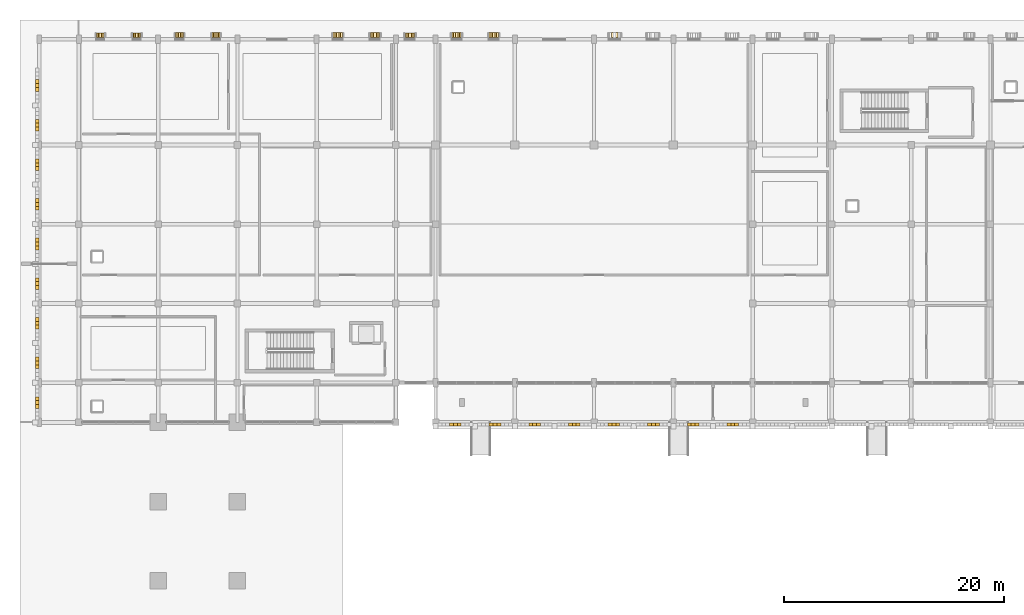
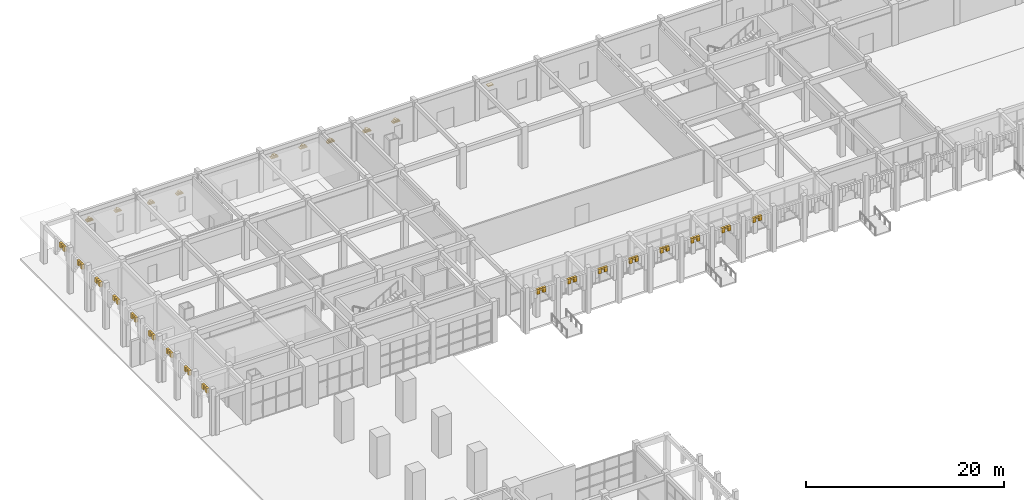
# One storey, part 67 of 72: 79 coverings.
"""IFC4 building model written with IfcOpenShell, lengths in metres."""

from ifc_helpers import new_model, si_unit, direction, frame, origin, origin_2d, place, context, subcontext, project, spatial, rectangle, extrude, material, layer, layer_set, type_object, element, save


model = new_model("IFC4")

# Units and contexts
model_context = context("Model", 3, precision=1e-05, world=origin(), true_north=direction((0.0, 1.0)))
body_context = subcontext(model_context, "Body", "Model", "MODEL_VIEW")
ifc_project = project(units=[si_unit("LENGTHUNIT", "METRE"), si_unit("AREAUNIT", "SQUARE_METRE"), si_unit("VOLUMEUNIT", "CUBIC_METRE"), si_unit("PLANEANGLEUNIT", "RADIAN"), si_unit("MASSUNIT", "GRAM", prefix="KILO")], contexts=[model_context])

# Site, building, storey
site_placement = place(None, origin())
site = spatial("IfcSite", under=ifc_project, at=site_placement, CompositionType="ELEMENT")
building_placement = place(site_placement, origin())
building = spatial("IfcBuilding", under=site, at=building_placement, Name="Nzembalo Square Collegiate School", CompositionType="ELEMENT")
storey_placement = place(building_placement, origin())
storey = spatial("IfcBuildingStorey", under=building, at=storey_placement, Name="L00", CompositionType="ELEMENT", Elevation=0.0)

# Coverings
ifc_material_1 = material(Name="Precast concrete C40/50 arch voussoir", Category="concrete")
ifc_layer_1 = layer(ifc_material_1, 0.1201171875, Name="Precast concrete C40/50 arch voussoir")
ifc_layer_set_1 = layer_set([ifc_layer_1], Name="Precast concrete C40/50 arch voussoir")
covering_type_1 = type_object("IfcCoveringType", Name="AR01", PredefinedType="CLADDING", material=ifc_layer_set_1)
covering_1_placement = place(storey_placement, frame((4.6201171875, 80.648681640625, 4.2109375), z_axis=(0.0, 0.0, 1.0), x_axis=(1.0, 0.0, 0.0)))
element("IfcCovering", 1, at=covering_1_placement, inside=storey, type_object=covering_type_1, Name="Gothic pointed arch voussoir AR01-013-3", PredefinedType="CLADDING", context=body_context, shape_type="SweptSolid", body=[
    extrude(rectangle(XDim=0.280029296875, YDim=0.35107421875, at=origin_2d()), origin(), (0.0, 0.0, 1.0), 0.589111328125),
])
covering_2_placement = place(storey_placement, frame((4.6201171875, 81.0, 4.579833984375), z_axis=(0.0, 0.0, 1.0), x_axis=(1.0, 0.0, 0.0)))
element("IfcCovering", 2, at=covering_2_placement, inside=storey, type_object=covering_type_1, Name="Gothic pointed arch voussoir AR01-013-4", PredefinedType="CLADDING", context=body_context, shape_type="SweptSolid", body=[
    extrude(rectangle(XDim=0.280029296875, YDim=0.35107421875, at=origin_2d()), origin(), (0.0, 0.0, 1.0), 0.22021484375),
])
for number, where, z_axis, x_axis, name in (
    (3, (4.6201171875, 81.35107421875, 4.2109375), (0.0, 0.0, 1.0), (1.0, 0.0, 0.0), "Gothic pointed arch voussoir AR01-013-5"),
    (4, (4.6201171875, 84.248779296875, 4.2109375), (0.0, 0.0, 1.0), (1.0, 0.0, 0.0), "Gothic pointed arch voussoir AR01-014-3"),
):
    element("IfcCovering", number, at=place(storey_placement, frame(where, z_axis=z_axis, x_axis=x_axis)), inside=storey, type_object=covering_type_1, Name=name, PredefinedType="CLADDING", context=body_context, shape_type="SweptSolid", body=[
        extrude(rectangle(XDim=0.280029296875, YDim=0.35107421875, at=origin_2d()), origin(), (0.0, 0.0, 1.0), 0.589111328125),
    ])
covering_3_placement = place(storey_placement, frame((4.6201171875, 84.599853515625, 4.579833984375), z_axis=(0.0, 0.0, 1.0), x_axis=(1.0, 0.0, 0.0)))
element("IfcCovering", 5, at=covering_3_placement, inside=storey, type_object=covering_type_1, Name="Gothic pointed arch voussoir AR01-014-4", PredefinedType="CLADDING", context=body_context, shape_type="SweptSolid", body=[
    extrude(rectangle(XDim=0.280029296875, YDim=0.35107421875, at=origin_2d()), origin(), (0.0, 0.0, 1.0), 0.22021484375),
])
for number, where, z_axis, x_axis, name in (
    (6, (4.6201171875, 84.950927734375, 4.2109375), (0.0, 0.0, 1.0), (1.0, 0.0, 0.0), "Gothic pointed arch voussoir AR01-014-5"),
    (7, (4.6201171875, 87.848876953125, 4.2109375), (0.0, 0.0, 1.0), (1.0, 0.0, 0.0), "Gothic pointed arch voussoir AR01-015-3"),
):
    element("IfcCovering", number, at=place(storey_placement, frame(where, z_axis=z_axis, x_axis=x_axis)), inside=storey, type_object=covering_type_1, Name=name, PredefinedType="CLADDING", context=body_context, shape_type="SweptSolid", body=[
        extrude(rectangle(XDim=0.280029296875, YDim=0.35107421875, at=origin_2d()), origin(), (0.0, 0.0, 1.0), 0.589111328125),
    ])
covering_4_placement = place(storey_placement, frame((4.6201171875, 88.199951171875, 4.579833984375), z_axis=(0.0, 0.0, 1.0), x_axis=(1.0, 0.0, 0.0)))
element("IfcCovering", 8, at=covering_4_placement, inside=storey, type_object=covering_type_1, Name="Gothic pointed arch voussoir AR01-015-4", PredefinedType="CLADDING", context=body_context, shape_type="SweptSolid", body=[
    extrude(rectangle(XDim=0.280029296875, YDim=0.35107421875, at=origin_2d()), origin(), (0.0, 0.0, 1.0), 0.22021484375),
])
for number, where, z_axis, x_axis, name in (
    (9, (4.6201171875, 88.551025390625, 4.2109375), (0.0, 0.0, 1.0), (1.0, 0.0, 0.0), "Gothic pointed arch voussoir AR01-015-5"),
    (10, (4.6201171875, 91.44873046875, 4.2109375), (0.0, 0.0, 1.0), (1.0, 0.0, 0.0), "Gothic pointed arch voussoir AR01-016-3"),
):
    element("IfcCovering", number, at=place(storey_placement, frame(where, z_axis=z_axis, x_axis=x_axis)), inside=storey, type_object=covering_type_1, Name=name, PredefinedType="CLADDING", context=body_context, shape_type="SweptSolid", body=[
        extrude(rectangle(XDim=0.280029296875, YDim=0.35107421875, at=origin_2d()), origin(), (0.0, 0.0, 1.0), 0.589111328125),
    ])
covering_5_placement = place(storey_placement, frame((4.6201171875, 91.7998046875, 4.579833984375), z_axis=(0.0, 0.0, 1.0), x_axis=(1.0, 0.0, 0.0)))
element("IfcCovering", 11, at=covering_5_placement, inside=storey, type_object=covering_type_1, Name="Gothic pointed arch voussoir AR01-016-4", PredefinedType="CLADDING", context=body_context, shape_type="SweptSolid", body=[
    extrude(rectangle(XDim=0.280029296875, YDim=0.35107421875, at=origin_2d()), origin(), (0.0, 0.0, 1.0), 0.22021484375),
])
for number, where, z_axis, x_axis, name in (
    (12, (4.6201171875, 92.15087890625, 4.2109375), (0.0, 0.0, 1.0), (1.0, 0.0, 0.0), "Gothic pointed arch voussoir AR01-016-5"),
    (13, (4.6201171875, 95.048828125, 4.2109375), (0.0, 0.0, 1.0), (1.0, 0.0, 0.0), "Gothic pointed arch voussoir AR01-017-3"),
):
    element("IfcCovering", number, at=place(storey_placement, frame(where, z_axis=z_axis, x_axis=x_axis)), inside=storey, type_object=covering_type_1, Name=name, PredefinedType="CLADDING", context=body_context, shape_type="SweptSolid", body=[
        extrude(rectangle(XDim=0.280029296875, YDim=0.35107421875, at=origin_2d()), origin(), (0.0, 0.0, 1.0), 0.589111328125),
    ])
covering_6_placement = place(storey_placement, frame((4.6201171875, 95.39990234375, 4.579833984375), z_axis=(0.0, 0.0, 1.0), x_axis=(1.0, 0.0, 0.0)))
element("IfcCovering", 14, at=covering_6_placement, inside=storey, type_object=covering_type_1, Name="Gothic pointed arch voussoir AR01-017-4", PredefinedType="CLADDING", context=body_context, shape_type="SweptSolid", body=[
    extrude(rectangle(XDim=0.280029296875, YDim=0.35107421875, at=origin_2d()), origin(), (0.0, 0.0, 1.0), 0.22021484375),
])
for number, where, z_axis, x_axis, name in (
    (15, (4.6201171875, 95.7509765625, 4.2109375), (0.0, 0.0, 1.0), (1.0, 0.0, 0.0), "Gothic pointed arch voussoir AR01-017-5"),
    (16, (4.6201171875, 98.648681640625, 4.2109375), (0.0, 0.0, 1.0), (1.0, 0.0, 0.0), "Gothic pointed arch voussoir AR01-018-3"),
):
    element("IfcCovering", number, at=place(storey_placement, frame(where, z_axis=z_axis, x_axis=x_axis)), inside=storey, type_object=covering_type_1, Name=name, PredefinedType="CLADDING", context=body_context, shape_type="SweptSolid", body=[
        extrude(rectangle(XDim=0.280029296875, YDim=0.35107421875, at=origin_2d()), origin(), (0.0, 0.0, 1.0), 0.589111328125),
    ])
covering_7_placement = place(storey_placement, frame((4.6201171875, 99.0, 4.579833984375), z_axis=(0.0, 0.0, 1.0), x_axis=(1.0, 0.0, 0.0)))
element("IfcCovering", 17, at=covering_7_placement, inside=storey, type_object=covering_type_1, Name="Gothic pointed arch voussoir AR01-018-4", PredefinedType="CLADDING", context=body_context, shape_type="SweptSolid", body=[
    extrude(rectangle(XDim=0.280029296875, YDim=0.35107421875, at=origin_2d()), origin(), (0.0, 0.0, 1.0), 0.22021484375),
])
for number, where, z_axis, x_axis, name in (
    (18, (4.6201171875, 99.35107421875, 4.2109375), (0.0, 0.0, 1.0), (1.0, 0.0, 0.0), "Gothic pointed arch voussoir AR01-018-5"),
    (19, (4.6201171875, 102.248779296875, 4.2109375), (0.0, 0.0, 1.0), (1.0, 0.0, 0.0), "Gothic pointed arch voussoir AR01-019-3"),
):
    element("IfcCovering", number, at=place(storey_placement, frame(where, z_axis=z_axis, x_axis=x_axis)), inside=storey, type_object=covering_type_1, Name=name, PredefinedType="CLADDING", context=body_context, shape_type="SweptSolid", body=[
        extrude(rectangle(XDim=0.280029296875, YDim=0.35107421875, at=origin_2d()), origin(), (0.0, 0.0, 1.0), 0.589111328125),
    ])
covering_8_placement = place(storey_placement, frame((4.6201171875, 102.599853515625, 4.579833984375), z_axis=(0.0, 0.0, 1.0), x_axis=(1.0, 0.0, 0.0)))
element("IfcCovering", 20, at=covering_8_placement, inside=storey, type_object=covering_type_1, Name="Gothic pointed arch voussoir AR01-019-4", PredefinedType="CLADDING", context=body_context, shape_type="SweptSolid", body=[
    extrude(rectangle(XDim=0.280029296875, YDim=0.35107421875, at=origin_2d()), origin(), (0.0, 0.0, 1.0), 0.22021484375),
])
for number, where, z_axis, x_axis, name in (
    (21, (4.6201171875, 102.950927734375, 4.2109375), (0.0, 0.0, 1.0), (1.0, 0.0, 0.0), "Gothic pointed arch voussoir AR01-019-5"),
    (22, (4.6201171875, 105.848876953125, 4.2109375), (0.0, 0.0, 1.0), (1.0, 0.0, 0.0), "Gothic pointed arch voussoir AR01-020-3"),
):
    element("IfcCovering", number, at=place(storey_placement, frame(where, z_axis=z_axis, x_axis=x_axis)), inside=storey, type_object=covering_type_1, Name=name, PredefinedType="CLADDING", context=body_context, shape_type="SweptSolid", body=[
        extrude(rectangle(XDim=0.280029296875, YDim=0.35107421875, at=origin_2d()), origin(), (0.0, 0.0, 1.0), 0.589111328125),
    ])
covering_9_placement = place(storey_placement, frame((4.6201171875, 106.199951171875, 4.579833984375), z_axis=(0.0, 0.0, 1.0), x_axis=(1.0, 0.0, 0.0)))
element("IfcCovering", 23, at=covering_9_placement, inside=storey, type_object=covering_type_1, Name="Gothic pointed arch voussoir AR01-020-4", PredefinedType="CLADDING", context=body_context, shape_type="SweptSolid", body=[
    extrude(rectangle(XDim=0.280029296875, YDim=0.35107421875, at=origin_2d()), origin(), (0.0, 0.0, 1.0), 0.22021484375),
])
for number, where, z_axis, x_axis, name in (
    (24, (4.6201171875, 106.551025390625, 4.2109375), (0.0, 0.0, 1.0), (1.0, 0.0, 0.0), "Gothic pointed arch voussoir AR01-020-5"),
    (25, (4.6201171875, 109.44873046875, 4.2109375), (0.0, 0.0, 1.0), (1.0, 0.0, 0.0), "Gothic pointed arch voussoir AR01-021-3"),
):
    element("IfcCovering", number, at=place(storey_placement, frame(where, z_axis=z_axis, x_axis=x_axis)), inside=storey, type_object=covering_type_1, Name=name, PredefinedType="CLADDING", context=body_context, shape_type="SweptSolid", body=[
        extrude(rectangle(XDim=0.280029296875, YDim=0.35107421875, at=origin_2d()), origin(), (0.0, 0.0, 1.0), 0.589111328125),
    ])
covering_10_placement = place(storey_placement, frame((4.6201171875, 109.7998046875, 4.579833984375), z_axis=(0.0, 0.0, 1.0), x_axis=(1.0, 0.0, 0.0)))
element("IfcCovering", 26, at=covering_10_placement, inside=storey, type_object=covering_type_1, Name="Gothic pointed arch voussoir AR01-021-4", PredefinedType="CLADDING", context=body_context, shape_type="SweptSolid", body=[
    extrude(rectangle(XDim=0.280029296875, YDim=0.35107421875, at=origin_2d()), origin(), (0.0, 0.0, 1.0), 0.22021484375),
])
covering_11_placement = place(storey_placement, frame((4.6201171875, 110.15087890625, 4.2109375), z_axis=(0.0, 0.0, 1.0), x_axis=(1.0, 0.0, 0.0)))
element("IfcCovering", 27, at=covering_11_placement, inside=storey, type_object=covering_type_1, Name="Gothic pointed arch voussoir AR01-021-5", PredefinedType="CLADDING", context=body_context, shape_type="SweptSolid", body=[
    extrude(rectangle(XDim=0.280029296875, YDim=0.35107421875, at=origin_2d()), origin(), (0.0, 0.0, 1.0), 0.589111328125),
])
covering_12_placement = place(storey_placement, frame((42.248779296875, 79.02001953125, 4.2109375), z_axis=(0.0, 0.0, 1.0), x_axis=(1.0, 0.0, 0.0)))
element("IfcCovering", 28, at=covering_12_placement, inside=storey, type_object=covering_type_1, Name="Gothic pointed arch voussoir AR01-042-3", PredefinedType="CLADDING", context=body_context, shape_type="SweptSolid", body=[
    extrude(rectangle(XDim=0.35107421875, YDim=0.280029296875, at=origin_2d()), origin(), (0.0, 0.0, 1.0), 0.589111328125),
])
covering_13_placement = place(storey_placement, frame((42.599853515625, 79.02001953125, 4.579833984375), z_axis=(0.0, 0.0, 1.0), x_axis=(1.0, 0.0, 0.0)))
element("IfcCovering", 29, at=covering_13_placement, inside=storey, type_object=covering_type_1, Name="Gothic pointed arch voussoir AR01-042-4", PredefinedType="CLADDING", context=body_context, shape_type="SweptSolid", body=[
    extrude(rectangle(XDim=0.35107421875, YDim=0.280029296875, at=origin_2d()), origin(), (0.0, 0.0, 1.0), 0.22021484375),
])
for number, where, z_axis, x_axis, name in (
    (30, (42.950927734375, 79.02001953125, 4.2109375), (0.0, 0.0, 1.0), (1.0, 0.0, 0.0), "Gothic pointed arch voussoir AR01-042-5"),
    (31, (45.848876953125, 79.02001953125, 4.2109375), (0.0, 0.0, 1.0), (1.0, 0.0, 0.0), "Gothic pointed arch voussoir AR01-043-3"),
):
    element("IfcCovering", number, at=place(storey_placement, frame(where, z_axis=z_axis, x_axis=x_axis)), inside=storey, type_object=covering_type_1, Name=name, PredefinedType="CLADDING", context=body_context, shape_type="SweptSolid", body=[
        extrude(rectangle(XDim=0.35107421875, YDim=0.280029296875, at=origin_2d()), origin(), (0.0, 0.0, 1.0), 0.589111328125),
    ])
covering_14_placement = place(storey_placement, frame((46.199951171875, 79.02001953125, 4.579833984375), z_axis=(0.0, 0.0, 1.0), x_axis=(1.0, 0.0, 0.0)))
element("IfcCovering", 32, at=covering_14_placement, inside=storey, type_object=covering_type_1, Name="Gothic pointed arch voussoir AR01-043-4", PredefinedType="CLADDING", context=body_context, shape_type="SweptSolid", body=[
    extrude(rectangle(XDim=0.35107421875, YDim=0.280029296875, at=origin_2d()), origin(), (0.0, 0.0, 1.0), 0.22021484375),
])
for number, where, z_axis, x_axis, name in (
    (33, (46.551025390625, 79.02001953125, 4.2109375), (0.0, 0.0, 1.0), (1.0, 0.0, 0.0), "Gothic pointed arch voussoir AR01-043-5"),
    (34, (49.448974609375, 79.02001953125, 4.2109375), (0.0, 0.0, 1.0), (1.0, 0.0, 0.0), "Gothic pointed arch voussoir AR01-044-3"),
):
    element("IfcCovering", number, at=place(storey_placement, frame(where, z_axis=z_axis, x_axis=x_axis)), inside=storey, type_object=covering_type_1, Name=name, PredefinedType="CLADDING", context=body_context, shape_type="SweptSolid", body=[
        extrude(rectangle(XDim=0.35107421875, YDim=0.280029296875, at=origin_2d()), origin(), (0.0, 0.0, 1.0), 0.589111328125),
    ])
covering_15_placement = place(storey_placement, frame((49.7998046875, 79.02001953125, 4.579833984375), z_axis=(0.0, 0.0, 1.0), x_axis=(1.0, 0.0, 0.0)))
element("IfcCovering", 35, at=covering_15_placement, inside=storey, type_object=covering_type_1, Name="Gothic pointed arch voussoir AR01-044-4", PredefinedType="CLADDING", context=body_context, shape_type="SweptSolid", body=[
    extrude(rectangle(XDim=0.35107421875, YDim=0.280029296875, at=origin_2d()), origin(), (0.0, 0.0, 1.0), 0.22021484375),
])
for number, where, z_axis, x_axis, name in (
    (36, (50.15087890625, 79.02001953125, 4.2109375), (0.0, 0.0, 1.0), (1.0, 0.0, 0.0), "Gothic pointed arch voussoir AR01-044-5"),
    (37, (53.048828125, 79.02001953125, 4.2109375), (0.0, 0.0, 1.0), (1.0, 0.0, 0.0), "Gothic pointed arch voussoir AR01-045-3"),
):
    element("IfcCovering", number, at=place(storey_placement, frame(where, z_axis=z_axis, x_axis=x_axis)), inside=storey, type_object=covering_type_1, Name=name, PredefinedType="CLADDING", context=body_context, shape_type="SweptSolid", body=[
        extrude(rectangle(XDim=0.35107421875, YDim=0.280029296875, at=origin_2d()), origin(), (0.0, 0.0, 1.0), 0.589111328125),
    ])
covering_16_placement = place(storey_placement, frame((53.39990234375, 79.02001953125, 4.579833984375), z_axis=(0.0, 0.0, 1.0), x_axis=(1.0, 0.0, 0.0)))
element("IfcCovering", 38, at=covering_16_placement, inside=storey, type_object=covering_type_1, Name="Gothic pointed arch voussoir AR01-045-4", PredefinedType="CLADDING", context=body_context, shape_type="SweptSolid", body=[
    extrude(rectangle(XDim=0.35107421875, YDim=0.280029296875, at=origin_2d()), origin(), (0.0, 0.0, 1.0), 0.22021484375),
])
for number, where, z_axis, x_axis, name in (
    (39, (53.7509765625, 79.02001953125, 4.2109375), (0.0, 0.0, 1.0), (1.0, 0.0, 0.0), "Gothic pointed arch voussoir AR01-045-5"),
    (40, (56.64892578125, 79.02001953125, 4.2109375), (0.0, 0.0, 1.0), (1.0, 0.0, 0.0), "Gothic pointed arch voussoir AR01-046-3"),
):
    element("IfcCovering", number, at=place(storey_placement, frame(where, z_axis=z_axis, x_axis=x_axis)), inside=storey, type_object=covering_type_1, Name=name, PredefinedType="CLADDING", context=body_context, shape_type="SweptSolid", body=[
        extrude(rectangle(XDim=0.35107421875, YDim=0.280029296875, at=origin_2d()), origin(), (0.0, 0.0, 1.0), 0.589111328125),
    ])
covering_17_placement = place(storey_placement, frame((57.0, 79.02001953125, 4.579833984375), z_axis=(0.0, 0.0, 1.0), x_axis=(1.0, 0.0, 0.0)))
element("IfcCovering", 41, at=covering_17_placement, inside=storey, type_object=covering_type_1, Name="Gothic pointed arch voussoir AR01-046-4", PredefinedType="CLADDING", context=body_context, shape_type="SweptSolid", body=[
    extrude(rectangle(XDim=0.35107421875, YDim=0.280029296875, at=origin_2d()), origin(), (0.0, 0.0, 1.0), 0.22021484375),
])
for number, where, z_axis, x_axis, name in (
    (42, (57.35107421875, 79.02001953125, 4.2109375), (0.0, 0.0, 1.0), (1.0, 0.0, 0.0), "Gothic pointed arch voussoir AR01-046-5"),
    (43, (60.248779296875, 79.02001953125, 4.2109375), (0.0, 0.0, 1.0), (1.0, 0.0, 0.0), "Gothic pointed arch voussoir AR01-047-3"),
):
    element("IfcCovering", number, at=place(storey_placement, frame(where, z_axis=z_axis, x_axis=x_axis)), inside=storey, type_object=covering_type_1, Name=name, PredefinedType="CLADDING", context=body_context, shape_type="SweptSolid", body=[
        extrude(rectangle(XDim=0.35107421875, YDim=0.280029296875, at=origin_2d()), origin(), (0.0, 0.0, 1.0), 0.589111328125),
    ])
covering_18_placement = place(storey_placement, frame((60.599853515625, 79.02001953125, 4.579833984375), z_axis=(0.0, 0.0, 1.0), x_axis=(1.0, 0.0, 0.0)))
element("IfcCovering", 44, at=covering_18_placement, inside=storey, type_object=covering_type_1, Name="Gothic pointed arch voussoir AR01-047-4", PredefinedType="CLADDING", context=body_context, shape_type="SweptSolid", body=[
    extrude(rectangle(XDim=0.35107421875, YDim=0.280029296875, at=origin_2d()), origin(), (0.0, 0.0, 1.0), 0.22021484375),
])
for number, where, z_axis, x_axis, name in (
    (45, (60.951171875, 79.02001953125, 4.2109375), (0.0, 0.0, 1.0), (1.0, 0.0, 0.0), "Gothic pointed arch voussoir AR01-047-5"),
    (46, (63.848876953125, 79.02001953125, 4.2109375), (0.0, 0.0, 1.0), (1.0, 0.0, 0.0), "Gothic pointed arch voussoir AR01-048-3"),
):
    element("IfcCovering", number, at=place(storey_placement, frame(where, z_axis=z_axis, x_axis=x_axis)), inside=storey, type_object=covering_type_1, Name=name, PredefinedType="CLADDING", context=body_context, shape_type="SweptSolid", body=[
        extrude(rectangle(XDim=0.35107421875, YDim=0.280029296875, at=origin_2d()), origin(), (0.0, 0.0, 1.0), 0.589111328125),
    ])
covering_19_placement = place(storey_placement, frame((64.199951171875, 79.02001953125, 4.579833984375), z_axis=(0.0, 0.0, 1.0), x_axis=(1.0, 0.0, 0.0)))
element("IfcCovering", 47, at=covering_19_placement, inside=storey, type_object=covering_type_1, Name="Gothic pointed arch voussoir AR01-048-4", PredefinedType="CLADDING", context=body_context, shape_type="SweptSolid", body=[
    extrude(rectangle(XDim=0.35107421875, YDim=0.280029296875, at=origin_2d()), origin(), (0.0, 0.0, 1.0), 0.22021484375),
])
for number, where, z_axis, x_axis, name in (
    (48, (64.551025390625, 79.02001953125, 4.2109375), (0.0, 0.0, 1.0), (1.0, 0.0, 0.0), "Gothic pointed arch voussoir AR01-048-5"),
    (49, (67.44873046875, 79.02001953125, 4.2109375), (0.0, 0.0, 1.0), (1.0, 0.0, 0.0), "Gothic pointed arch voussoir AR01-049-3"),
):
    element("IfcCovering", number, at=place(storey_placement, frame(where, z_axis=z_axis, x_axis=x_axis)), inside=storey, type_object=covering_type_1, Name=name, PredefinedType="CLADDING", context=body_context, shape_type="SweptSolid", body=[
        extrude(rectangle(XDim=0.35107421875, YDim=0.280029296875, at=origin_2d()), origin(), (0.0, 0.0, 1.0), 0.589111328125),
    ])
covering_20_placement = place(storey_placement, frame((67.7998046875, 79.02001953125, 4.579833984375), z_axis=(0.0, 0.0, 1.0), x_axis=(1.0, 0.0, 0.0)))
element("IfcCovering", 50, at=covering_20_placement, inside=storey, type_object=covering_type_1, Name="Gothic pointed arch voussoir AR01-049-4", PredefinedType="CLADDING", context=body_context, shape_type="SweptSolid", body=[
    extrude(rectangle(XDim=0.35107421875, YDim=0.280029296875, at=origin_2d()), origin(), (0.0, 0.0, 1.0), 0.22021484375),
])
covering_21_placement = place(storey_placement, frame((68.15087890625, 79.02001953125, 4.2109375), z_axis=(0.0, 0.0, 1.0), x_axis=(1.0, 0.0, 0.0)))
element("IfcCovering", 51, at=covering_21_placement, inside=storey, type_object=covering_type_1, Name="Gothic pointed arch voussoir AR01-049-5", PredefinedType="CLADDING", context=body_context, shape_type="SweptSolid", body=[
    extrude(rectangle(XDim=0.35107421875, YDim=0.280029296875, at=origin_2d()), origin(), (0.0, 0.0, 1.0), 0.589111328125),
])
ifc_material_2 = material(Name="Glazed celadon ceramic window frame")
ifc_layer_2 = layer(ifc_material_2, 0.419921875, Name="Glazed celadon ceramic window frame")
ifc_layer_set_2 = layer_set([ifc_layer_2], Name="Glazed celadon ceramic window frame")
covering_type_2 = type_object("IfcCoveringType", Name="WF01", PredefinedType="CLADDING", material=ifc_layer_set_2)
covering_22_placement = place(storey_placement, frame((10.345947265625, 114.375, 2.9599609375), z_axis=(0.0, 0.0, 1.0), x_axis=(1.0, 0.0, 0.0)))
element("IfcCovering", 52, at=covering_22_placement, inside=storey, type_object=covering_type_2, Name="Pointed lancet gable WF01-0075-1", PredefinedType="CLADDING", context=body_context, shape_type="SweptSolid", body=[
    extrude(rectangle(XDim=0.721923828125, YDim=0.419921875, at=origin_2d()), origin(), (0.0, 0.0, 1.0), 0.1201171875),
])
covering_23_placement = place(storey_placement, frame((10.345947265625, 114.375, 3.079833984375), z_axis=(0.0, 0.0, 1.0), x_axis=(1.0, 0.0, 0.0)))
element("IfcCovering", 53, at=covering_23_placement, inside=storey, type_object=covering_type_2, Name="Pointed lancet gable WF01-0075-2", PredefinedType="CLADDING", context=body_context, shape_type="SweptSolid", body=[
    extrude(rectangle(XDim=0.4560546875, YDim=0.419921875, at=origin_2d()), origin(), (0.0, 0.0, 1.0), 0.1201171875),
])
covering_24_placement = place(storey_placement, frame((10.345947265625, 114.375, 3.199951171875), z_axis=(0.0, 0.0, 1.0), x_axis=(1.0, 0.0, 0.0)))
element("IfcCovering", 54, at=covering_24_placement, inside=storey, type_object=covering_type_2, Name="Pointed lancet gable WF01-0075-3", PredefinedType="CLADDING", context=body_context, shape_type="SweptSolid", body=[
    extrude(rectangle(XDim=0.208984375, YDim=0.419921875, at=origin_2d()), origin(), (0.0, 0.0, 1.0), 0.1201171875),
])
covering_25_placement = place(storey_placement, frame((13.654052734375, 114.375, 2.9599609375), z_axis=(0.0, 0.0, 1.0), x_axis=(1.0, 0.0, 0.0)))
element("IfcCovering", 55, at=covering_25_placement, inside=storey, type_object=covering_type_2, Name="Pointed lancet gable WF01-0076-1", PredefinedType="CLADDING", context=body_context, shape_type="SweptSolid", body=[
    extrude(rectangle(XDim=0.721923828125, YDim=0.419921875, at=origin_2d()), origin(), (0.0, 0.0, 1.0), 0.1201171875),
])
covering_26_placement = place(storey_placement, frame((13.654052734375, 114.375, 3.079833984375), z_axis=(0.0, 0.0, 1.0), x_axis=(1.0, 0.0, 0.0)))
element("IfcCovering", 56, at=covering_26_placement, inside=storey, type_object=covering_type_2, Name="Pointed lancet gable WF01-0076-2", PredefinedType="CLADDING", context=body_context, shape_type="SweptSolid", body=[
    extrude(rectangle(XDim=0.4560546875, YDim=0.419921875, at=origin_2d()), origin(), (0.0, 0.0, 1.0), 0.1201171875),
])
covering_27_placement = place(storey_placement, frame((13.654052734375, 114.375, 3.199951171875), z_axis=(0.0, 0.0, 1.0), x_axis=(1.0, 0.0, 0.0)))
element("IfcCovering", 57, at=covering_27_placement, inside=storey, type_object=covering_type_2, Name="Pointed lancet gable WF01-0076-3", PredefinedType="CLADDING", context=body_context, shape_type="SweptSolid", body=[
    extrude(rectangle(XDim=0.208984375, YDim=0.419921875, at=origin_2d()), origin(), (0.0, 0.0, 1.0), 0.1201171875),
])
covering_28_placement = place(storey_placement, frame((17.5458984375, 114.385009765625, 2.56005859375), z_axis=(0.0, 0.0, 1.0), x_axis=(1.0, 0.0, 0.0)))
element("IfcCovering", 58, at=covering_28_placement, inside=storey, type_object=covering_type_2, Name="Pointed lancet gable WF01-0077-1", PredefinedType="CLADDING", context=body_context, shape_type="SweptSolid", body=[
    extrude(rectangle(XDim=0.721923828125, YDim=0.419921875, at=origin_2d()), origin(), (0.0, 0.0, 1.0), 0.1201171875),
])
covering_29_placement = place(storey_placement, frame((17.5458984375, 114.385009765625, 2.679931640625), z_axis=(0.0, 0.0, 1.0), x_axis=(1.0, 0.0, 0.0)))
element("IfcCovering", 59, at=covering_29_placement, inside=storey, type_object=covering_type_2, Name="Pointed lancet gable WF01-0077-2", PredefinedType="CLADDING", context=body_context, shape_type="SweptSolid", body=[
    extrude(rectangle(XDim=0.4560546875, YDim=0.419921875, at=origin_2d()), origin(), (0.0, 0.0, 1.0), 0.1201171875),
])
covering_30_placement = place(storey_placement, frame((17.5458984375, 114.385009765625, 2.800048828125), z_axis=(0.0, 0.0, 1.0), x_axis=(1.0, 0.0, 0.0)))
element("IfcCovering", 60, at=covering_30_placement, inside=storey, type_object=covering_type_2, Name="Pointed lancet gable WF01-0077-3", PredefinedType="CLADDING", context=body_context, shape_type="SweptSolid", body=[
    extrude(rectangle(XDim=0.208984375, YDim=0.419921875, at=origin_2d()), origin(), (0.0, 0.0, 1.0), 0.1201171875),
])
covering_31_placement = place(storey_placement, frame((20.85400390625, 114.385009765625, 2.56005859375), z_axis=(0.0, 0.0, 1.0), x_axis=(1.0, 0.0, 0.0)))
element("IfcCovering", 61, at=covering_31_placement, inside=storey, type_object=covering_type_2, Name="Pointed lancet gable WF01-0078-1", PredefinedType="CLADDING", context=body_context, shape_type="SweptSolid", body=[
    extrude(rectangle(XDim=0.721923828125, YDim=0.419921875, at=origin_2d()), origin(), (0.0, 0.0, 1.0), 0.1201171875),
])
covering_32_placement = place(storey_placement, frame((20.85400390625, 114.385009765625, 2.679931640625), z_axis=(0.0, 0.0, 1.0), x_axis=(1.0, 0.0, 0.0)))
element("IfcCovering", 62, at=covering_32_placement, inside=storey, type_object=covering_type_2, Name="Pointed lancet gable WF01-0078-2", PredefinedType="CLADDING", context=body_context, shape_type="SweptSolid", body=[
    extrude(rectangle(XDim=0.4560546875, YDim=0.419921875, at=origin_2d()), origin(), (0.0, 0.0, 1.0), 0.1201171875),
])
covering_33_placement = place(storey_placement, frame((20.85400390625, 114.385009765625, 2.800048828125), z_axis=(0.0, 0.0, 1.0), x_axis=(1.0, 0.0, 0.0)))
element("IfcCovering", 63, at=covering_33_placement, inside=storey, type_object=covering_type_2, Name="Pointed lancet gable WF01-0078-3", PredefinedType="CLADDING", context=body_context, shape_type="SweptSolid", body=[
    extrude(rectangle(XDim=0.208984375, YDim=0.419921875, at=origin_2d()), origin(), (0.0, 0.0, 1.0), 0.1201171875),
])
covering_34_placement = place(storey_placement, frame((31.908447265625, 114.385009765625, 3.2099609375), z_axis=(0.0, 0.0, 1.0), x_axis=(1.0, 0.0, 0.0)))
element("IfcCovering", 64, at=covering_34_placement, inside=storey, type_object=covering_type_2, Name="Pointed lancet gable WF01-0079-1", PredefinedType="CLADDING", context=body_context, shape_type="SweptSolid", body=[
    extrude(rectangle(XDim=0.8359375, YDim=0.419921875, at=origin_2d()), origin(), (0.0, 0.0, 1.0), 0.1201171875),
])
covering_35_placement = place(storey_placement, frame((31.908447265625, 114.385009765625, 3.329833984375), z_axis=(0.0, 0.0, 1.0), x_axis=(1.0, 0.0, 0.0)))
element("IfcCovering", 65, at=covering_35_placement, inside=storey, type_object=covering_type_2, Name="Pointed lancet gable WF01-0079-2", PredefinedType="CLADDING", context=body_context, shape_type="SweptSolid", body=[
    extrude(rectangle(XDim=0.528076171875, YDim=0.419921875, at=origin_2d()), origin(), (0.0, 0.0, 1.0), 0.1201171875),
])
covering_36_placement = place(storey_placement, frame((31.908447265625, 114.385009765625, 3.449951171875), z_axis=(0.0, 0.0, 1.0), x_axis=(1.0, 0.0, 0.0)))
element("IfcCovering", 66, at=covering_36_placement, inside=storey, type_object=covering_type_2, Name="Pointed lancet gable WF01-0079-3", PredefinedType="CLADDING", context=body_context, shape_type="SweptSolid", body=[
    extrude(rectangle(XDim=0.241943359375, YDim=0.419921875, at=origin_2d()), origin(), (0.0, 0.0, 1.0), 0.1201171875),
])
covering_37_placement = place(storey_placement, frame((35.29150390625, 114.385009765625, 3.2099609375), z_axis=(0.0, 0.0, 1.0), x_axis=(1.0, 0.0, 0.0)))
element("IfcCovering", 67, at=covering_37_placement, inside=storey, type_object=covering_type_2, Name="Pointed lancet gable WF01-0080-1", PredefinedType="CLADDING", context=body_context, shape_type="SweptSolid", body=[
    extrude(rectangle(XDim=0.8359375, YDim=0.419921875, at=origin_2d()), origin(), (0.0, 0.0, 1.0), 0.1201171875),
])
covering_38_placement = place(storey_placement, frame((35.29150390625, 114.385009765625, 3.329833984375), z_axis=(0.0, 0.0, 1.0), x_axis=(1.0, 0.0, 0.0)))
element("IfcCovering", 68, at=covering_38_placement, inside=storey, type_object=covering_type_2, Name="Pointed lancet gable WF01-0080-2", PredefinedType="CLADDING", context=body_context, shape_type="SweptSolid", body=[
    extrude(rectangle(XDim=0.528076171875, YDim=0.419921875, at=origin_2d()), origin(), (0.0, 0.0, 1.0), 0.1201171875),
])
covering_39_placement = place(storey_placement, frame((35.29150390625, 114.385009765625, 3.449951171875), z_axis=(0.0, 0.0, 1.0), x_axis=(1.0, 0.0, 0.0)))
element("IfcCovering", 69, at=covering_39_placement, inside=storey, type_object=covering_type_2, Name="Pointed lancet gable WF01-0080-3", PredefinedType="CLADDING", context=body_context, shape_type="SweptSolid", body=[
    extrude(rectangle(XDim=0.241943359375, YDim=0.419921875, at=origin_2d()), origin(), (0.0, 0.0, 1.0), 0.1201171875),
])
covering_40_placement = place(storey_placement, frame((38.472412109375, 114.375, 2.81005859375), z_axis=(0.0, 0.0, 1.0), x_axis=(1.0, 0.0, 0.0)))
element("IfcCovering", 70, at=covering_40_placement, inside=storey, type_object=covering_type_2, Name="Pointed lancet gable WF01-0081-1", PredefinedType="CLADDING", context=body_context, shape_type="SweptSolid", body=[
    extrude(rectangle(XDim=0.8359375, YDim=0.419921875, at=origin_2d()), origin(), (0.0, 0.0, 1.0), 0.1201171875),
])
covering_41_placement = place(storey_placement, frame((38.472412109375, 114.375, 2.929931640625), z_axis=(0.0, 0.0, 1.0), x_axis=(1.0, 0.0, 0.0)))
element("IfcCovering", 71, at=covering_41_placement, inside=storey, type_object=covering_type_2, Name="Pointed lancet gable WF01-0081-2", PredefinedType="CLADDING", context=body_context, shape_type="SweptSolid", body=[
    extrude(rectangle(XDim=0.528076171875, YDim=0.419921875, at=origin_2d()), origin(), (0.0, 0.0, 1.0), 0.1201171875),
])
covering_42_placement = place(storey_placement, frame((38.472412109375, 114.375, 3.050048828125), z_axis=(0.0, 0.0, 1.0), x_axis=(1.0, 0.0, 0.0)))
element("IfcCovering", 72, at=covering_42_placement, inside=storey, type_object=covering_type_2, Name="Pointed lancet gable WF01-0081-3", PredefinedType="CLADDING", context=body_context, shape_type="SweptSolid", body=[
    extrude(rectangle(XDim=0.241943359375, YDim=0.419921875, at=origin_2d()), origin(), (0.0, 0.0, 1.0), 0.1201171875),
])
covering_43_placement = place(storey_placement, frame((42.70849609375, 114.385009765625, 2.60986328125), z_axis=(0.0, 0.0, 1.0), x_axis=(1.0, 0.0, 0.0)))
element("IfcCovering", 73, at=covering_43_placement, inside=storey, type_object=covering_type_2, Name="Pointed lancet gable WF01-0082-1", PredefinedType="CLADDING", context=body_context, shape_type="SweptSolid", body=[
    extrude(rectangle(XDim=0.8359375, YDim=0.419921875, at=origin_2d()), origin(), (0.0, 0.0, 1.0), 0.1201171875),
])
covering_44_placement = place(storey_placement, frame((42.70849609375, 114.385009765625, 2.72998046875), z_axis=(0.0, 0.0, 1.0), x_axis=(1.0, 0.0, 0.0)))
element("IfcCovering", 74, at=covering_44_placement, inside=storey, type_object=covering_type_2, Name="Pointed lancet gable WF01-0082-2", PredefinedType="CLADDING", context=body_context, shape_type="SweptSolid", body=[
    extrude(rectangle(XDim=0.528076171875, YDim=0.419921875, at=origin_2d()), origin(), (0.0, 0.0, 1.0), 0.1201171875),
])
covering_45_placement = place(storey_placement, frame((42.70849609375, 114.385009765625, 2.849853515625), z_axis=(0.0, 0.0, 1.0), x_axis=(1.0, 0.0, 0.0)))
element("IfcCovering", 75, at=covering_45_placement, inside=storey, type_object=covering_type_2, Name="Pointed lancet gable WF01-0082-3", PredefinedType="CLADDING", context=body_context, shape_type="SweptSolid", body=[
    extrude(rectangle(XDim=0.241943359375, YDim=0.419921875, at=origin_2d()), origin(), (0.0, 0.0, 1.0), 0.1201171875),
])
covering_46_placement = place(storey_placement, frame((46.091552734375, 114.385009765625, 2.60986328125), z_axis=(0.0, 0.0, 1.0), x_axis=(1.0, 0.0, 0.0)))
element("IfcCovering", 76, at=covering_46_placement, inside=storey, type_object=covering_type_2, Name="Pointed lancet gable WF01-0083-1", PredefinedType="CLADDING", context=body_context, shape_type="SweptSolid", body=[
    extrude(rectangle(XDim=0.8359375, YDim=0.419921875, at=origin_2d()), origin(), (0.0, 0.0, 1.0), 0.1201171875),
])
covering_47_placement = place(storey_placement, frame((46.091552734375, 114.385009765625, 2.72998046875), z_axis=(0.0, 0.0, 1.0), x_axis=(1.0, 0.0, 0.0)))
element("IfcCovering", 77, at=covering_47_placement, inside=storey, type_object=covering_type_2, Name="Pointed lancet gable WF01-0083-2", PredefinedType="CLADDING", context=body_context, shape_type="SweptSolid", body=[
    extrude(rectangle(XDim=0.528076171875, YDim=0.419921875, at=origin_2d()), origin(), (0.0, 0.0, 1.0), 0.1201171875),
])
covering_48_placement = place(storey_placement, frame((46.091552734375, 114.385009765625, 2.849853515625), z_axis=(0.0, 0.0, 1.0), x_axis=(1.0, 0.0, 0.0)))
element("IfcCovering", 78, at=covering_48_placement, inside=storey, type_object=covering_type_2, Name="Pointed lancet gable WF01-0083-3", PredefinedType="CLADDING", context=body_context, shape_type="SweptSolid", body=[
    extrude(rectangle(XDim=0.241943359375, YDim=0.419921875, at=origin_2d()), origin(), (0.0, 0.0, 1.0), 0.1201171875),
])
covering_49_placement = place(storey_placement, frame((57.071044921875, 114.385009765625, 3.280029296875), z_axis=(0.0, 0.0, 1.0), x_axis=(1.0, 0.0, 0.0)))
element("IfcCovering", 79, at=covering_49_placement, inside=storey, type_object=covering_type_2, Name="Pointed lancet gable WF01-0084-2", PredefinedType="CLADDING", context=body_context, shape_type="SweptSolid", body=[
    extrude(rectangle(XDim=0.60009765625, YDim=0.419921875, at=origin_2d()), origin(), (0.0, 0.0, 1.0), 0.1201171875),
])

save(model, "model.ifc")
